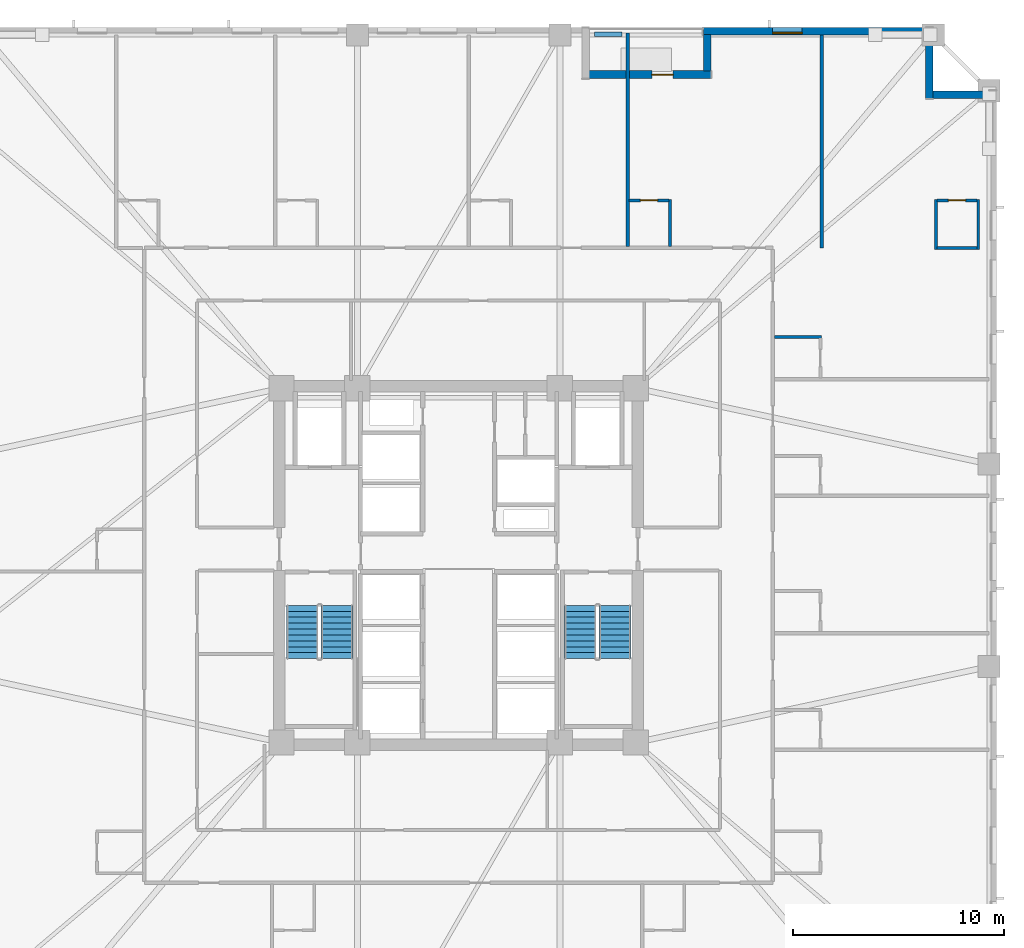
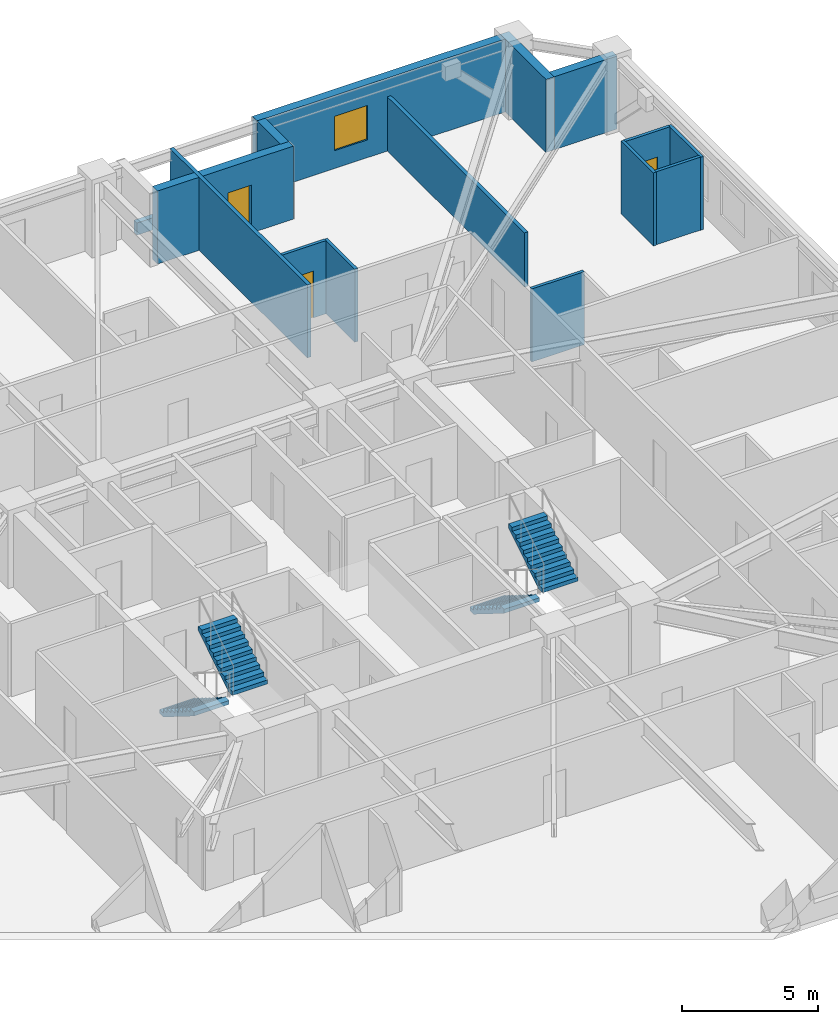
# One storey, part 7 of 12: 15 walls, 4 stair flights, 3 doors, 1 window, 4 openings, 2 elements without a shape of their own.
"""IFC4 building model written with IfcOpenShell, lengths in metres."""

from ifc_helpers import new_model, si_unit, direction, frame, frame_2d, origin, place, context, subcontext, project, spatial, polyline, rectangle, outline, extrude, material, layer, layer_set, type_object, element, fill, aggregate, save


model = new_model("IFC4")

# Units and contexts
model_context = context("Model", 3, precision=1e-05, world=origin(), true_north=direction((0.0, 1.0)))
body_context = subcontext(model_context, "Body", "Model", "MODEL_VIEW")
ifc_project = project(units=[si_unit("LENGTHUNIT", "METRE"), si_unit("AREAUNIT", "SQUARE_METRE"), si_unit("VOLUMEUNIT", "CUBIC_METRE"), si_unit("PLANEANGLEUNIT", "RADIAN"), si_unit("MASSUNIT", "GRAM", prefix="KILO")], contexts=[model_context])

# Site, building, storey
site_placement = place(None, origin())
site = spatial("IfcSite", under=ifc_project, at=site_placement, CompositionType="ELEMENT")
building_placement = place(site_placement, origin())
building = spatial("IfcBuilding", under=site, at=building_placement, Name="Cairnveth Concourse Tower", CompositionType="ELEMENT")
storey_placement = place(building_placement, frame((0.0, 0.0, 90.0)))
storey = spatial("IfcBuildingStorey", under=building, at=storey_placement, Name="L24", CompositionType="ELEMENT", Elevation=90.0)

# Walls
ifc_material_1 = material(Name="Gypsum Plasterboard Partition", Category="gypsum")
ifc_layer_1 = layer(ifc_material_1, 0.159912109375)
ifc_layer_set_1 = layer_set([ifc_layer_1], Name="Gypsum Plasterboard Partition")
wall_type_1 = type_object("IfcWallType", Name="ACOUSTIC PARTY WALL 180", PredefinedType="PARTITIONING", material=ifc_layer_set_1)
wall_1_placement = place(storey_placement, frame((60.0224609375, 54.114990234375, 0.0), z_axis=(0.0, 0.0, 1.0), x_axis=(0.0, 1.0, 0.0)))
element("IfcWall", 1, at=wall_1_placement, inside=storey, type_object=wall_type_1, Name="Interior Wall IW-L24-081", PredefinedType="PARTITIONING", context=body_context, shape_type="SweptSolid", body=[
    extrude(rectangle(XDim=10.114990234375, YDim=0.159912109375, at=frame_2d((5.0576171875, 0.0))), origin(), (0.0, 0.0, 1.0), 3.280029296875),
])
wall_2_placement = place(storey_placement, frame((69.20751953125, 54.050048828125, 0.0), z_axis=(0.0, 0.0, 1.0), x_axis=(0.0, 1.0, 0.0)))
element("IfcWall", 2, at=wall_2_placement, inside=storey, type_object=wall_type_1, Name="Interior Wall IW-L24-084", PredefinedType="PARTITIONING", context=body_context, shape_type="SweptSolid", body=[
    extrude(rectangle(XDim=10.10498046875, YDim=0.159912109375, at=frame_2d((5.052490234375, 0.0))), origin(), (0.0, 0.0, 1.0), 2.43896484375),
])
ifc_material_2 = material(Name="Dressed Melbourne Bluestone Cladding", Category="masonry")
ifc_layer_2 = layer(ifc_material_2, 0.219970703125)
ifc_layer_set_2 = layer_set([ifc_layer_2], Name="Dressed Melbourne Bluestone Cladding")
wall_type_2 = type_object("IfcWallType", Name="TERRACE PLANTER CURB WALL 220", PredefinedType="PARAPET", material=ifc_layer_set_2)
wall_3_placement = place(storey_placement, frame((58.449951171875, 64.179931640625, 0.0), z_axis=(0.0, 0.0, 1.0), x_axis=(1.0, 0.0, 0.0)))
element("IfcWall", 3, at=wall_3_placement, inside=storey, type_object=wall_type_2, Name="Exterior Wall PLNT-L24-TERR", PredefinedType="PARAPET", context=body_context, shape_type="SweptSolid", body=[
    extrude(rectangle(XDim=1.300048828125, YDim=0.219970703125, at=frame_2d((0.64990234375, 0.0))), origin(), (0.0, 0.0, 1.0), 0.550048828125),
])
ifc_layer_3 = layer(ifc_material_1, 0.1298828125)
ifc_layer_set_3 = layer_set([ifc_layer_3], Name="Gypsum Plasterboard Partition")
wall_type_3 = type_object("IfcWallType", Name="WET AREA PARTITION 140", PredefinedType="PLUMBINGWALL", material=ifc_layer_set_3)
wall_4_placement = place(storey_placement, frame((62.0224609375, 54.114990234375, 0.0), z_axis=(0.0, 0.0, 1.0), x_axis=(0.0, 1.0, 0.0)))
element("IfcWall", 4, at=wall_4_placement, inside=storey, type_object=wall_type_3, Name="Interior Wall IW-L24-082", PredefinedType="PLUMBINGWALL", context=body_context, shape_type="SweptSolid", body=[
    extrude(rectangle(XDim=2.235107421875, YDim=0.1298828125, at=frame_2d((1.11767578125, 0.0))), origin(), (0.0, 0.0, 1.0), 3.280029296875),
])

# Wall, opening, door
wall_5_placement = place(storey_placement, frame((60.08740234375, 56.300048828125, 0.0), z_axis=(0.0, 0.0, 1.0), x_axis=(1.0, 0.0, 0.0)))
wall_5 = element("IfcWall", 5, at=wall_5_placement, inside=storey, type_object=wall_type_3, Name="Interior Wall IW-L24-083", PredefinedType="PLUMBINGWALL", context=body_context, shape_type="SweptSolid", body=[
    extrude(rectangle(XDim=1.885009765625, YDim=0.1298828125, at=frame_2d((0.9423828125, 0.0))), origin(), (0.0, 0.0, 1.0), 3.280029296875),
])
opening_1_placement = place(wall_5_placement, frame((0.52490234375, 0.0, 0.0)))
opening_1 = element("IfcOpeningElement", 6, at=opening_1_placement, cuts=wall_5, Name="Opening ID22", PredefinedType="OPENING", context=body_context, shape_type="SweptSolid", body=[
    extrude(rectangle(XDim=0.820068359375, YDim=2.10009765625, at=frame_2d((0.41015625, 1.050048828125))), frame((0.0, 0.074951171875, 0.0), z_axis=(0.0, -1.0, 0.0), x_axis=(1.0, 0.0, 0.0)), (0.0, 0.0, 1.0), 0.14990234375),
])
ifc_material_3 = material(Name="Solid Core Hardwood Timber Leaf", Category="wood")
door_type_1 = type_object("IfcDoorType", Name="INTERIOR WC DOOR 820X2100", OperationType="NOTDEFINED", PredefinedType="DOOR", material=ifc_material_3)
door_1_placement = place(opening_1_placement, origin())
door_1 = element("IfcDoor", 7, at=door_1_placement, inside=storey, type_object=door_type_1, Name="En-Suite Door L24-N5", OperationType="SINGLE_SWING_LEFT", OverallHeight=2.10009765625, OverallWidth=0.820068359375, PredefinedType="DOOR", context=body_context, shape_type="SweptSolid", body=[
    extrude(rectangle(XDim=0.820068359375, YDim=2.10009765625, at=frame_2d((0.41015625, 1.050048828125))), frame((0.0, 0.02490234375, 0.0), z_axis=(0.0, -1.0, 0.0), x_axis=(1.0, 0.0, 0.0)), (0.0, 0.0, 1.0), 0.050048828125),
])
fill(opening_1, door_1)

# Walls
for number, where, z_axis, x_axis, name in (
    (8, (76.6298828125, 53.969970703125, 0.0), (0.0, 0.0, 1.0), (0.0, 1.0, 0.0), "Interior Wall IW-L24-085"),
    (9, (74.6298828125, 53.969970703125, 0.0), (0.0, 0.0, 1.0), (0.0, 1.0, 0.0), "Interior Wall IW-L24-086"),
):
    element("IfcWall", number, at=place(storey_placement, frame(where, z_axis=z_axis, x_axis=x_axis)), inside=storey, type_object=wall_type_3, Name=name, PredefinedType="PLUMBINGWALL", context=body_context, shape_type="SweptSolid", body=[
        extrude(rectangle(XDim=2.380126953125, YDim=0.1298828125, at=frame_2d((1.18994140625, 0.0))), origin(), (0.0, 0.0, 1.0), 3.280029296875),
    ])

# Wall, opening, door
wall_6_placement = place(storey_placement, frame((74.679931640625, 56.300048828125, 0.0), z_axis=(0.0, 0.0, 1.0), x_axis=(1.0, 0.0, 0.0)))
wall_6 = element("IfcWall", 10, at=wall_6_placement, inside=storey, type_object=wall_type_3, Name="Interior Wall IW-L24-087", PredefinedType="PLUMBINGWALL", context=body_context, shape_type="SweptSolid", body=[
    extrude(rectangle(XDim=1.900146484375, YDim=0.1298828125, at=frame_2d((0.9501953125, 0.0))), origin(), (0.0, 0.0, 1.0), 3.280029296875),
])
opening_2_placement = place(wall_6_placement, frame((0.5400390625, 0.0, 0.0)))
opening_2 = element("IfcOpeningElement", 11, at=opening_2_placement, cuts=wall_6, Name="Opening ID22", PredefinedType="OPENING", context=body_context, shape_type="SweptSolid", body=[
    extrude(rectangle(XDim=0.820068359375, YDim=2.10009765625, at=frame_2d((0.41015625, 1.050048828125))), frame((0.0, 0.074951171875, 0.0), z_axis=(0.0, -1.0, 0.0), x_axis=(1.0, 0.0, 0.0)), (0.0, 0.0, 1.0), 0.14990234375),
])
door_2_placement = place(opening_2_placement, origin())
door_2 = element("IfcDoor", 12, at=door_2_placement, inside=storey, type_object=door_type_1, Name="En-Suite Door L24-N6", OperationType="SINGLE_SWING_LEFT", OverallHeight=2.10009765625, OverallWidth=0.820068359375, PredefinedType="DOOR", context=body_context, shape_type="SweptSolid", body=[
    extrude(rectangle(XDim=0.820068359375, YDim=2.10009765625, at=frame_2d((0.41015625, 1.050048828125))), frame((0.0, 0.02490234375, 0.0), z_axis=(0.0, -1.0, 0.0), x_axis=(1.0, 0.0, 0.0)), (0.0, 0.0, 1.0), 0.050048828125),
])
fill(opening_2, door_2)

# Walls
wall_7_placement = place(storey_placement, frame((74.679931640625, 54.050048828125, 0.0), z_axis=(0.0, 0.0, 1.0), x_axis=(1.0, 0.0, 0.0)))
element("IfcWall", 13, at=wall_7_placement, inside=storey, type_object=wall_type_3, Name="Interior Wall IW-L24-088", PredefinedType="PLUMBINGWALL", context=body_context, shape_type="SweptSolid", body=[
    extrude(rectangle(XDim=1.900146484375, YDim=0.1298828125, at=frame_2d((0.9501953125, 0.0))), origin(), (0.0, 0.0, 1.0), 3.280029296875),
])
wall_8_placement = place(storey_placement, frame((66.965087890625, 49.827392578125, 0.0), z_axis=(0.0, 0.0, 1.0), x_axis=(1.0, 0.0, 0.0)))
element("IfcWall", 14, at=wall_8_placement, inside=storey, type_object=wall_type_3, Name="Interior Wall IW-L24-108", PredefinedType="PLUMBINGWALL", context=body_context, shape_type="SweptSolid", body=[
    extrude(rectangle(XDim=2.23486328125, YDim=0.1298828125, at=frame_2d((1.117431640625, 0.0))), origin(), (0.0, 0.0, 1.0), 3.280029296875),
])

# Wall, opening, window
ifc_material_4 = material(Name="Hawthorn Red-Ochre Fired Clay Brick Masonry", Category="masonry")
ifc_layer_4 = layer(ifc_material_4, 0.360107421875)
ifc_layer_set_4 = layer_set([ifc_layer_4], Name="Hawthorn Red-Ochre Fired Clay Brick Masonry")
wall_type_4 = type_object("IfcWallType", Name="ZONE 1 BRICK PIER SPANDREL WALL 360", PredefinedType="SOLIDWALL", material=ifc_layer_set_4)
wall_9_placement = place(storey_placement, frame((63.60009765625, 64.320068359375, 0.0), z_axis=(0.0, 0.0, 1.0), x_axis=(1.0, 0.0, 0.0)))
wall_9 = element("IfcWall", 15, at=wall_9_placement, inside=storey, type_object=wall_type_4, Name="Exterior Wall EW-L24-S00", PredefinedType="SOLIDWALL", context=body_context, shape_type="SweptSolid", body=[
    extrude(rectangle(XDim=10.56201171875, YDim=0.360107421875, at=frame_2d((5.281005859375, 0.0))), origin(), (0.0, 0.0, 1.0), 3.280029296875),
])
opening_3_placement = place(wall_9_placement, frame((3.281005859375, 0.0, 0.800048828125)))
opening_3 = element("IfcOpeningElement", 16, at=opening_3_placement, cuts=wall_9, Name="Opening W05", PredefinedType="OPENING", context=body_context, shape_type="SweptSolid", body=[
    extrude(rectangle(XDim=1.39990234375, YDim=1.5439453125, at=frame_2d((0.699951171875, 0.77197265625))), frame((0.0, 0.18994140625, 0.0), z_axis=(0.0, -1.0, 0.0), x_axis=(1.0, 0.0, 0.0)), (0.0, 0.0, 1.0), 0.380126953125),
])
ifc_material_5 = material(Name="Double Glazed Low-E Clear Glass", Category="glass")
window_type = type_object("IfcWindowType", Name="DEEP-SET HOTEL CASEMENT WINDOW 1400X1750", PartitioningType="DOUBLE_PANEL_VERTICAL", PredefinedType="WINDOW", material=ifc_material_5)
window_placement = place(opening_3_placement, origin())
window = element("IfcWindow", 17, at=window_placement, inside=storey, type_object=window_type, Name="Gothic Lancet Window L24-0-1", OverallHeight=1.5439453125, OverallWidth=1.39990234375, PartitioningType="SINGLE_PANEL", PredefinedType="WINDOW", context=body_context, shape_type="SweptSolid", body=[
    extrude(rectangle(XDim=1.39990234375, YDim=1.5439453125, at=frame_2d((0.699951171875, 0.77197265625))), frame((0.0, -0.050048828125, 0.0), z_axis=(0.0, -1.0, 0.0), x_axis=(1.0, 0.0, 0.0)), (0.0, 0.0, 1.0), 0.06005859375),
])
fill(opening_3, window)

# Walls
wall_10_placement = place(storey_placement, frame((74.320068359375, 64.5, 0.0), z_axis=(0.0, 0.0, 1.0), x_axis=(0.0, -1.0, 0.0)))
element("IfcWall", 18, at=wall_10_placement, inside=storey, type_object=wall_type_4, Name="Exterior Wall EW-L24-S01", PredefinedType="SOLIDWALL", context=body_context, shape_type="SweptSolid", body=[
    extrude(rectangle(XDim=3.360107421875, YDim=0.360107421875, at=frame_2d((1.68017578125, 0.0))), origin(), (0.0, 0.0, 1.0), 3.280029296875),
])
wall_11_placement = place(storey_placement, frame((74.47802734375, 61.320068359375, 0.0), z_axis=(0.0, 0.0, 1.0), x_axis=(1.0, 0.0, 0.0)))
element("IfcWall", 19, at=wall_11_placement, inside=storey, type_object=wall_type_4, Name="Exterior Wall EW-L24-S02", PredefinedType="SOLIDWALL", context=body_context, shape_type="SweptSolid", body=[
    extrude(rectangle(XDim=2.68408203125, YDim=0.360107421875, at=frame_2d((1.342041015625, 0.0))), origin(), (0.0, 0.0, 1.0), 3.280029296875),
])

# Wall, opening, door
wall_12_placement = place(storey_placement, frame((58.177978515625, 62.27001953125, 0.0), z_axis=(0.0, 0.0, 1.0), x_axis=(1.0, 0.0, 0.0)))
wall_12 = element("IfcWall", 20, at=wall_12_placement, inside=storey, type_object=wall_type_4, Name="Exterior Wall EW-L24-S14", PredefinedType="SOLIDWALL", context=body_context, shape_type="SweptSolid", body=[
    extrude(rectangle(XDim=5.781982421875, YDim=0.360107421875, at=frame_2d((2.89111328125, 0.0))), origin(), (0.0, 0.0, 1.0), 3.280029296875),
])
opening_4_placement = place(wall_12_placement, frame((2.98828125, 0.0, 0.0)))
opening_4 = element("IfcOpeningElement", 21, at=opening_4_placement, cuts=wall_12, Name="Opening ED4", PredefinedType="OPENING", context=body_context, shape_type="SweptSolid", body=[
    extrude(rectangle(XDim=1.0, YDim=2.14990234375, at=frame_2d((0.5, 1.074951171875))), frame((0.0, 0.18994140625, 0.0), z_axis=(0.0, -1.0, 0.0), x_axis=(1.0, 0.0, 0.0)), (0.0, 0.0, 1.0), 0.380126953125),
])
ifc_material_6 = material(Name="Architectural Bronze Anodised Aluminium 6063-T6", Category="aluminium")
door_type_2 = type_object("IfcDoorType", Name="TERRACE GLAZED DOOR 1000X2150", OperationType="NOTDEFINED", PredefinedType="DOOR", material=ifc_material_6)
door_3_placement = place(opening_4_placement, origin())
door_3 = element("IfcDoor", 22, at=door_3_placement, inside=storey, type_object=door_type_2, Name="Spiral Terrace Door L24", OperationType="SINGLE_SWING_LEFT", OverallHeight=2.14990234375, OverallWidth=1.0, PredefinedType="DOOR", context=body_context, shape_type="SweptSolid", body=[
    extrude(rectangle(XDim=1.0, YDim=2.14990234375, at=frame_2d((0.5, 1.074951171875))), frame((0.0, 0.02490234375, 0.0), z_axis=(0.0, -1.0, 0.0), x_axis=(1.0, 0.0, 0.0)), (0.0, 0.0, 1.0), 0.050048828125),
])
fill(opening_4, door_3)

# Wall
wall_13_placement = place(storey_placement, frame((63.780029296875, 62.427978515625, 0.0), z_axis=(0.0, 0.0, 1.0), x_axis=(0.0, 1.0, 0.0)))
element("IfcWall", 23, at=wall_13_placement, inside=storey, type_object=wall_type_4, Name="Exterior Wall EW-L24-S15", PredefinedType="SOLIDWALL", context=body_context, shape_type="SweptSolid", body=[
    extrude(rectangle(XDim=1.734130859375, YDim=0.360107421875, at=frame_2d((0.8671875, 0.0))), origin(), (0.0, 0.0, 1.0), 3.280029296875),
])

# Stair, stair flights
ifc_material_7 = material(Name="Precast concrete N50 (50 MPa)", Category="concrete")
stair_type = type_object("IfcStairType", Name="CORE DOG-LEG FIRE STAIR 1500", PredefinedType="HALF_TURN_STAIR", material=ifc_material_7)
stair_1_placement = place(storey_placement, origin())
stair_1 = element("IfcStair", 24, at=stair_1_placement, inside=storey, type_object=stair_type, Name="L24 Fire-Isolated Stair ST-1", PredefinedType="HALF_TURN_STAIR")
stair_flight_type = type_object("IfcStairFlightType", Name="PRECAST CONCRETE STAIR FLIGHT 1500", PredefinedType="STRAIGHT", material=ifc_material_7)
stair_flight_1_placement = place(storey_placement, frame((44.590087890625, 37.10009765625, 0.0), z_axis=(0.0, 0.0, 1.0), x_axis=(0.0, -1.0, 0.0)))
stair_flight_1 = element("IfcStairFlight", 25, at=stair_flight_1_placement, type_object=stair_flight_type, Name="ST-1 flight 1", NumberOfRisers=10, NumberOfTreads=9, PredefinedType="STRAIGHT", RiserHeight=0.175, TreadLength=0.28, context=body_context, shape_type="SweptSolid", body=[
    extrude(outline(polyline([(0.0, 0.0), (0.0, 0.175048828125), (0.280029296875, 0.175048828125), (0.280029296875, 0.35009765625), (0.56005859375, 0.35009765625), (0.56005859375, 0.52490234375), (0.840087890625, 0.52490234375), (0.840087890625, 0.699951171875), (1.1201171875, 0.699951171875), (1.1201171875, 0.875), (1.39990234375, 0.875), (1.39990234375, 1.050048828125), (1.679931640625, 1.050048828125), (1.679931640625, 1.22509765625), (1.9599609375, 1.22509765625), (1.9599609375, 1.39990234375), (2.239990234375, 1.39990234375), (2.239990234375, 1.574951171875), (2.52001953125, 1.574951171875), (2.52001953125, 1.75), (2.52001953125, 1.398193359375), (0.28271484375, 0.0), (0.0, 0.0)])), frame((0.0, 0.75, 0.0), z_axis=(0.0, -1.0, 0.0), x_axis=(1.0, 0.0, 0.0)), (0.0, 0.0, 1.0), 1.5),
])
stair_flight_2_placement = place(storey_placement, frame((46.22998046875, 34.580078125, 1.75), z_axis=(0.0, 0.0, 1.0), x_axis=(0.0, 1.0, 0.0)))
stair_flight_2 = element("IfcStairFlight", 26, at=stair_flight_2_placement, type_object=stair_flight_type, Name="ST-1 flight 2", NumberOfRisers=10, NumberOfTreads=9, PredefinedType="STRAIGHT", RiserHeight=0.175, TreadLength=0.28, context=body_context, shape_type="SweptSolid", body=[
    extrude(outline(polyline([(0.0, 0.0), (0.0, 0.175048828125), (0.280029296875, 0.175048828125), (0.280029296875, 0.35009765625), (0.56005859375, 0.35009765625), (0.56005859375, 0.52490234375), (0.840087890625, 0.52490234375), (0.840087890625, 0.699951171875), (1.1201171875, 0.699951171875), (1.1201171875, 0.875), (1.39990234375, 0.875), (1.39990234375, 1.050048828125), (1.679931640625, 1.050048828125), (1.679931640625, 1.22509765625), (1.9599609375, 1.22509765625), (1.9599609375, 1.39990234375), (2.239990234375, 1.39990234375), (2.239990234375, 1.574951171875), (2.52001953125, 1.574951171875), (2.52001953125, 1.75), (2.52001953125, 1.398193359375), (0.28271484375, 0.0), (0.0, 0.0)])), frame((0.0, 0.75, 0.0), z_axis=(0.0, -1.0, 0.0), x_axis=(1.0, 0.0, 0.0)), (0.0, 0.0, 1.0), 1.5),
])
aggregate(stair_1, [stair_flight_1, stair_flight_2])

stair_2_placement = place(storey_placement, origin())
stair_2 = element("IfcStair", 27, at=stair_2_placement, inside=storey, type_object=stair_type, Name="L24 Fire-Isolated Stair ST-2", PredefinedType="HALF_TURN_STAIR")
stair_flight_3_placement = place(storey_placement, frame((57.77001953125, 37.10009765625, 0.0), z_axis=(0.0, 0.0, 1.0), x_axis=(0.0, -1.0, 0.0)))
stair_flight_3 = element("IfcStairFlight", 28, at=stair_flight_3_placement, type_object=stair_flight_type, Name="ST-2 flight 1", NumberOfRisers=10, NumberOfTreads=9, PredefinedType="STRAIGHT", RiserHeight=0.175, TreadLength=0.28, context=body_context, shape_type="SweptSolid", body=[
    extrude(outline(polyline([(0.0, 0.0), (0.0, 0.175048828125), (0.280029296875, 0.175048828125), (0.280029296875, 0.35009765625), (0.56005859375, 0.35009765625), (0.56005859375, 0.52490234375), (0.840087890625, 0.52490234375), (0.840087890625, 0.699951171875), (1.1201171875, 0.699951171875), (1.1201171875, 0.875), (1.39990234375, 0.875), (1.39990234375, 1.050048828125), (1.679931640625, 1.050048828125), (1.679931640625, 1.22509765625), (1.9599609375, 1.22509765625), (1.9599609375, 1.39990234375), (2.239990234375, 1.39990234375), (2.239990234375, 1.574951171875), (2.52001953125, 1.574951171875), (2.52001953125, 1.75), (2.52001953125, 1.398193359375), (0.28271484375, 0.0), (0.0, 0.0)])), frame((0.0, 0.75, 0.0), z_axis=(0.0, -1.0, 0.0), x_axis=(1.0, 0.0, 0.0)), (0.0, 0.0, 1.0), 1.5),
])
stair_flight_4_placement = place(storey_placement, frame((59.409912109375, 34.580078125, 1.75), z_axis=(0.0, 0.0, 1.0), x_axis=(0.0, 1.0, 0.0)))
stair_flight_4 = element("IfcStairFlight", 29, at=stair_flight_4_placement, type_object=stair_flight_type, Name="ST-2 flight 2", NumberOfRisers=10, NumberOfTreads=9, PredefinedType="STRAIGHT", RiserHeight=0.175, TreadLength=0.28, context=body_context, shape_type="SweptSolid", body=[
    extrude(outline(polyline([(0.0, 0.0), (0.0, 0.175048828125), (0.280029296875, 0.175048828125), (0.280029296875, 0.35009765625), (0.56005859375, 0.35009765625), (0.56005859375, 0.52490234375), (0.840087890625, 0.52490234375), (0.840087890625, 0.699951171875), (1.1201171875, 0.699951171875), (1.1201171875, 0.875), (1.39990234375, 0.875), (1.39990234375, 1.050048828125), (1.679931640625, 1.050048828125), (1.679931640625, 1.22509765625), (1.9599609375, 1.22509765625), (1.9599609375, 1.39990234375), (2.239990234375, 1.39990234375), (2.239990234375, 1.574951171875), (2.52001953125, 1.574951171875), (2.52001953125, 1.75), (2.52001953125, 1.398193359375), (0.28271484375, 0.0), (0.0, 0.0)])), frame((0.0, 0.75, 0.0), z_axis=(0.0, -1.0, 0.0), x_axis=(1.0, 0.0, 0.0)), (0.0, 0.0, 1.0), 1.5),
])
aggregate(stair_2, [stair_flight_3, stair_flight_4])

save(model, "model.ifc")
